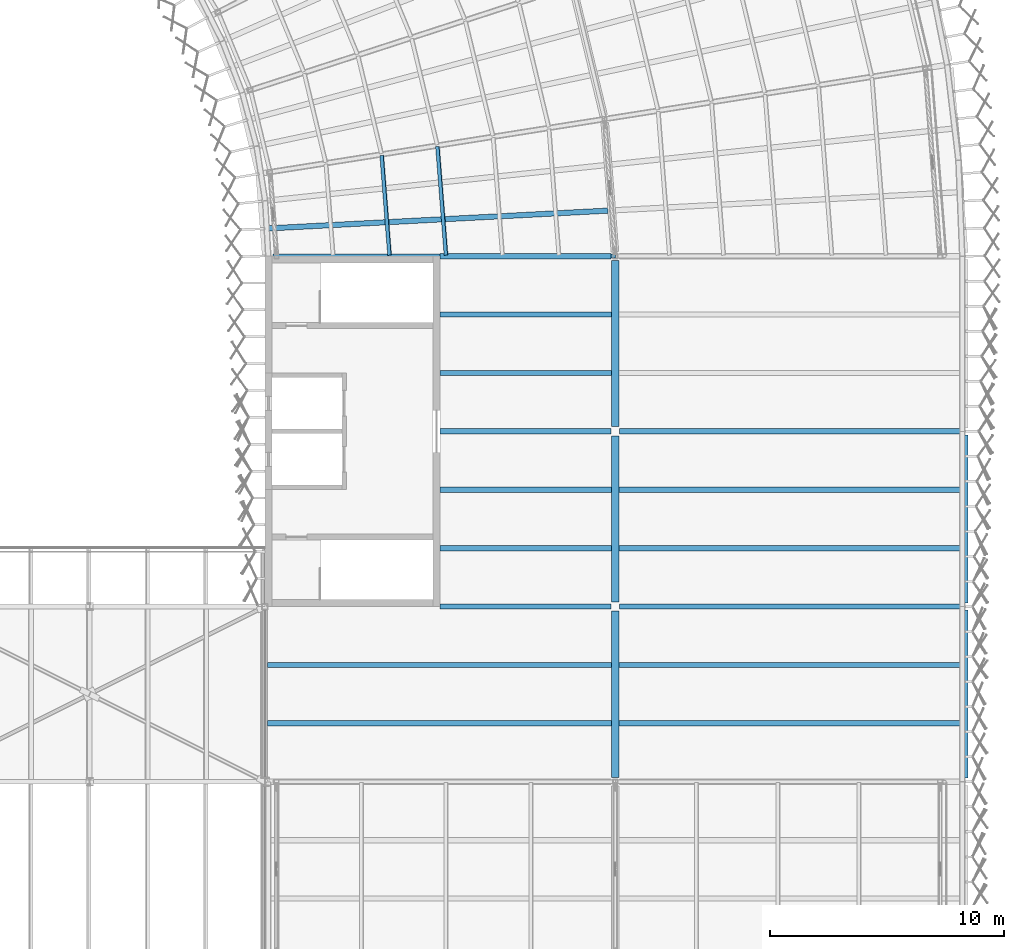
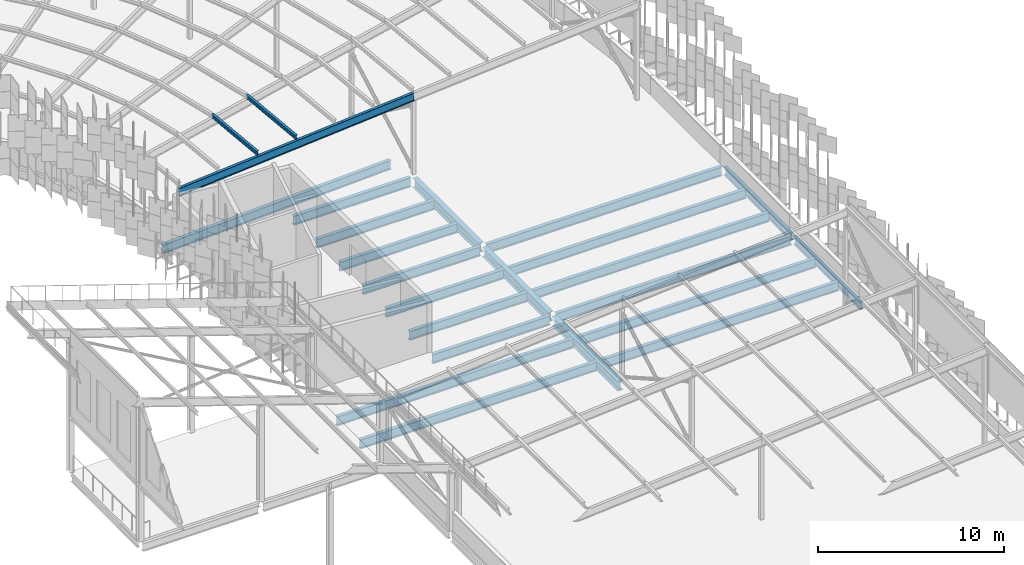
# One storey, part 87 of 483: 21 beams, 3 members.
"""IFC4 building model written with IfcOpenShell, lengths in metres."""

from ifc_helpers import new_model, si_unit, direction, frame, origin, origin_2d, place, context, subcontext, project, spatial, i_section, extrude, material, material_profile, profile_set, type_object, element, save


model = new_model("IFC4")

# Units and contexts
model_context = context("Model", 3, precision=1e-05, world=origin(), true_north=direction((0.0, 1.0)))
body_context = subcontext(model_context, "Body", "Model", "MODEL_VIEW")
ifc_project = project(units=[si_unit("LENGTHUNIT", "METRE"), si_unit("AREAUNIT", "SQUARE_METRE"), si_unit("VOLUMEUNIT", "CUBIC_METRE"), si_unit("PLANEANGLEUNIT", "RADIAN"), si_unit("MASSUNIT", "GRAM", prefix="KILO")], contexts=[model_context])

# Site, building, storey
site_placement = place(None, origin())
site = spatial("IfcSite", under=ifc_project, at=site_placement, CompositionType="ELEMENT")
building_placement = place(site_placement, origin())
building = spatial("IfcBuilding", under=site, at=building_placement, Name="Parallax Yard Mobility Hub", CompositionType="ELEMENT")
storey_placement = place(building_placement, frame((0.0, 0.0, 13.199951171875)))
storey = spatial("IfcBuildingStorey", under=building, at=storey_placement, Name="L04", CompositionType="ELEMENT", Elevation=13.199951171875)

# Members
ifc_material = material(Name="Steel ASTM A992", Category="steel")
ifc_material_profile_1 = material_profile(ifc_material, i_section(OverallWidth=0.14794921875, OverallDepth=0.26611328125, WebThickness=0.007568359375, FlangeThickness=0.012939453125, at=origin_2d()), Name="W250x45")
ifc_profile_set_1 = profile_set([ifc_material_profile_1], Name="Steel ASTM A992")
member_type_1 = type_object("IfcMemberType", Name="Canopy purlin W250x45", PredefinedType="PURLIN", material=ifc_profile_set_1)
member_1_placement = place(storey_placement, frame((200.00439453125, 94.315185546875, 4.688720703125), z_axis=(0.078464218091, -0.996916930581, 0.0), x_axis=(0.993722463222, 0.078212791542, 0.079990157691)))
element("IfcMember", 1, at=member_1_placement, inside=storey, type_object=member_type_1, Name="Canopy purlin sector R9-R10 line 3", PredefinedType="PURLIN", context=body_context, shape_type="SweptSolid", body=[
    extrude(i_section(OverallWidth=0.14794921875, OverallDepth=0.26611328125, WebThickness=0.007568359375, FlangeThickness=0.012939453125, at=origin_2d()), origin(), (0.0, 0.0, 1.0), 4.28759765625),
])
member_2_placement = place(storey_placement, frame((202.391357421875, 94.693115234375, 4.882080078125), z_axis=(0.078472628197, -0.996916268612, 0.0), x_axis=(0.993721803374, 0.078221174699, 0.079990157691)))
element("IfcMember", 2, at=member_2_placement, inside=storey, type_object=member_type_1, Name="Canopy purlin sector R9-R10 line 4", PredefinedType="PURLIN", context=body_context, shape_type="SweptSolid", body=[
    extrude(i_section(OverallWidth=0.14794921875, OverallDepth=0.26611328125, WebThickness=0.007568359375, FlangeThickness=0.012939453125, at=origin_2d()), origin(), (0.0, 0.0, 1.0), 4.666748046875),
])
ifc_material_profile_2 = material_profile(ifc_material, i_section(OverallWidth=0.166015625, OverallDepth=0.529052734375, WebThickness=0.009765625, FlangeThickness=0.013671875, at=origin_2d()), Name="W530x74")
ifc_profile_set_2 = profile_set([ifc_material_profile_2], Name="Steel ASTM A992")
member_type_2 = type_object("IfcMemberType", Name="Canopy rafter W530x74", PredefinedType="RAFTER", material=ifc_profile_set_2)
member_3_placement = place(storey_placement, frame((195.37109375, 90.0, 3.89501953125), z_axis=(0.996814591838, 0.0, 0.079753805543), x_axis=(0.0, 1.0, 0.0)))
element("IfcMember", 3, at=member_3_placement, inside=storey, type_object=member_type_2, Name="Canopy rafter R10 inner span", PredefinedType="RAFTER", context=body_context, shape_type="SweptSolid", body=[
    extrude(i_section(OverallWidth=0.166015625, OverallDepth=0.529052734375, WebThickness=0.009765625, FlangeThickness=0.013671875, at=origin_2d()), origin(), (0.0, 0.0, 1.0), 14.69677734375),
])

# Beams
ifc_material_profile_3 = material_profile(ifc_material, i_section(OverallWidth=0.208984375, OverallDepth=0.532958984375, WebThickness=0.01025390625, FlangeThickness=0.015625, FilletRadius=0.0126953125, at=origin_2d()), Name="W530x92")
ifc_profile_set_3 = profile_set([ifc_material_profile_3], Name="Steel ASTM A992")
beam_type_1 = type_object("IfcBeamType", Name="W530x92 edge beam", PredefinedType="SPANDREL", material=ifc_profile_set_3)
for number, where, z_axis, x_axis, name in (
    (4, (225.0, 67.652587890625, -0.406494140625), (0.0, 1.0, 0.0), (-1.0, 0.0, 0.0), "Edge beam SB5 level L04, line 31 of ramped parking decks, span 6"),
    (5, (225.0, 75.152587890625, -0.406494140625), (0.0, 1.0, 0.0), (-1.0, 0.0, 0.0), "Edge beam SB5 level L04, line 31 of ramped parking decks, span 7"),
):
    element("IfcBeam", number, at=place(storey_placement, frame(where, z_axis=z_axis, x_axis=x_axis)), inside=storey, type_object=beam_type_1, Name=name, PredefinedType="SPANDREL", context=body_context, shape_type="SweptSolid", body=[
        extrude(i_section(OverallWidth=0.208984375, OverallDepth=0.532958984375, WebThickness=0.01025390625, FlangeThickness=0.015625, FilletRadius=0.0126953125, at=origin_2d()), origin(), (0.0, 0.0, 1.0), 7.19482421875),
    ])
ifc_material_profile_4 = material_profile(ifc_material, i_section(OverallWidth=0.22802734375, OverallDepth=0.60205078125, WebThickness=0.010498046875, FlangeThickness=0.014892578125, FilletRadius=0.0126953125, at=origin_2d()), Name="W610x101")
ifc_profile_set_4 = profile_set([ifc_material_profile_4], Name="Steel ASTM A992")
beam_type_2 = type_object("IfcBeamType", Name="W610x101 secondary beam", PredefinedType="JOIST", material=ifc_profile_set_4)
for number, where, z_axis, x_axis, name in (
    (6, (195.1044921875, 70.0, -0.44091796875), (1.0, 0.0, 0.0), (0.0, 1.0, 0.0), "Secondary beam B3 level L04, 2.5 m north of line K of ramped parking decks, span 1"),
    (7, (210.16259765625, 70.0, -0.44091796875), (1.0, 0.0, 0.0), (0.0, 1.0, 0.0), "Secondary beam B3 level L04, 2.5 m north of line K of ramped parking decks, span 2"),
):
    element("IfcBeam", number, at=place(storey_placement, frame(where, z_axis=z_axis, x_axis=x_axis)), inside=storey, type_object=beam_type_2, Name=name, PredefinedType="JOIST", context=body_context, shape_type="SweptSolid", body=[
        extrude(i_section(OverallWidth=0.22802734375, OverallDepth=0.60205078125, WebThickness=0.010498046875, FlangeThickness=0.014892578125, FilletRadius=0.0126953125, at=origin_2d()), origin(), (0.0, 0.0, 1.0), 14.73291015625),
    ])
beam_1_placement = place(storey_placement, frame((202.5, 77.5, -0.44091796875), z_axis=(1.0, 0.0, 0.0), x_axis=(0.0, 1.0, 0.0)))
element("IfcBeam", 8, at=beam_1_placement, inside=storey, type_object=beam_type_2, Name="Secondary beam B3 level L04, 2.5 m north of line L of ramped parking decks, span 1", PredefinedType="JOIST", context=body_context, shape_type="SweptSolid", body=[
    extrude(i_section(OverallWidth=0.22802734375, OverallDepth=0.60205078125, WebThickness=0.010498046875, FlangeThickness=0.014892578125, FilletRadius=0.0126953125, at=origin_2d()), origin(), (0.0, 0.0, 1.0), 7.33740234375),
])
beam_2_placement = place(storey_placement, frame((210.16259765625, 77.5, -0.44091796875), z_axis=(1.0, 0.0, 0.0), x_axis=(0.0, 1.0, 0.0)))
element("IfcBeam", 9, at=beam_2_placement, inside=storey, type_object=beam_type_2, Name="Secondary beam B3 level L04, 2.5 m north of line L of ramped parking decks, span 2", PredefinedType="JOIST", context=body_context, shape_type="SweptSolid", body=[
    extrude(i_section(OverallWidth=0.22802734375, OverallDepth=0.60205078125, WebThickness=0.010498046875, FlangeThickness=0.014892578125, FilletRadius=0.0126953125, at=origin_2d()), origin(), (0.0, 0.0, 1.0), 14.73291015625),
])
beam_3_placement = place(storey_placement, frame((202.5, 85.0, -0.44091796875), z_axis=(1.0, 0.0, 0.0), x_axis=(0.0, 1.0, 0.0)))
element("IfcBeam", 10, at=beam_3_placement, inside=storey, type_object=beam_type_2, Name="Secondary beam B3 level L04, 2.5 m north of line M of ramped parking decks, span 1", PredefinedType="JOIST", context=body_context, shape_type="SweptSolid", body=[
    extrude(i_section(OverallWidth=0.22802734375, OverallDepth=0.60205078125, WebThickness=0.010498046875, FlangeThickness=0.014892578125, FilletRadius=0.0126953125, at=origin_2d()), origin(), (0.0, 0.0, 1.0), 7.33740234375),
])
for number, where, z_axis, x_axis, name in (
    (11, (195.1044921875, 72.5, -0.44091796875), (1.0, 0.0, 0.0), (0.0, 1.0, 0.0), "Secondary beam B3 level L04, 5 m north of line K of ramped parking decks, span 1"),
    (12, (210.16259765625, 72.5, -0.44091796875), (1.0, 0.0, 0.0), (0.0, 1.0, 0.0), "Secondary beam B3 level L04, 5 m north of line K of ramped parking decks, span 2"),
):
    element("IfcBeam", number, at=place(storey_placement, frame(where, z_axis=z_axis, x_axis=x_axis)), inside=storey, type_object=beam_type_2, Name=name, PredefinedType="JOIST", context=body_context, shape_type="SweptSolid", body=[
        extrude(i_section(OverallWidth=0.22802734375, OverallDepth=0.60205078125, WebThickness=0.010498046875, FlangeThickness=0.014892578125, FilletRadius=0.0126953125, at=origin_2d()), origin(), (0.0, 0.0, 1.0), 14.73291015625),
    ])
beam_4_placement = place(storey_placement, frame((202.5, 80.0, -0.44091796875), z_axis=(1.0, 0.0, 0.0), x_axis=(0.0, 1.0, 0.0)))
element("IfcBeam", 13, at=beam_4_placement, inside=storey, type_object=beam_type_2, Name="Secondary beam B3 level L04, 5 m north of line L of ramped parking decks, span 1", PredefinedType="JOIST", context=body_context, shape_type="SweptSolid", body=[
    extrude(i_section(OverallWidth=0.22802734375, OverallDepth=0.60205078125, WebThickness=0.010498046875, FlangeThickness=0.014892578125, FilletRadius=0.0126953125, at=origin_2d()), origin(), (0.0, 0.0, 1.0), 7.33740234375),
])
beam_5_placement = place(storey_placement, frame((210.16259765625, 80.0, -0.44091796875), z_axis=(1.0, 0.0, 0.0), x_axis=(0.0, 1.0, 0.0)))
element("IfcBeam", 14, at=beam_5_placement, inside=storey, type_object=beam_type_2, Name="Secondary beam B3 level L04, 5 m north of line L of ramped parking decks, span 2", PredefinedType="JOIST", context=body_context, shape_type="SweptSolid", body=[
    extrude(i_section(OverallWidth=0.22802734375, OverallDepth=0.60205078125, WebThickness=0.010498046875, FlangeThickness=0.014892578125, FilletRadius=0.0126953125, at=origin_2d()), origin(), (0.0, 0.0, 1.0), 14.73291015625),
])
beam_6_placement = place(storey_placement, frame((202.5, 87.5, -0.44091796875), z_axis=(1.0, 0.0, 0.0), x_axis=(0.0, 1.0, 0.0)))
element("IfcBeam", 15, at=beam_6_placement, inside=storey, type_object=beam_type_2, Name="Secondary beam B3 level L04, 5 m north of line M of ramped parking decks, span 1", PredefinedType="JOIST", context=body_context, shape_type="SweptSolid", body=[
    extrude(i_section(OverallWidth=0.22802734375, OverallDepth=0.60205078125, WebThickness=0.010498046875, FlangeThickness=0.014892578125, FilletRadius=0.0126953125, at=origin_2d()), origin(), (0.0, 0.0, 1.0), 7.33740234375),
])
beam_7_placement = place(storey_placement, frame((195.02197265625, 91.180419921875, -0.44091796875), z_axis=(0.99862979267, 0.052331034694, 0.0), x_axis=(-0.052331034694, 0.99862979267, 0.0)))
element("IfcBeam", 16, at=beam_7_placement, inside=storey, type_object=beam_type_2, Name="Secondary beam B3 level L04, radial at 87 degrees of ramped parking decks, span 1", PredefinedType="JOIST", context=body_context, shape_type="SweptSolid", body=[
    extrude(i_section(OverallWidth=0.22802734375, OverallDepth=0.60205078125, WebThickness=0.010498046875, FlangeThickness=0.014892578125, FilletRadius=0.0126953125, at=origin_2d()), origin(), (0.0, 0.0, 1.0), 14.681640625),
])
ifc_material_profile_5 = material_profile(ifc_material, i_section(OverallWidth=0.22900390625, OverallDepth=0.612060546875, WebThickness=0.011962890625, FlangeThickness=0.01953125, FilletRadius=0.0126953125, at=origin_2d()), Name="W610x125")
ifc_profile_set_5 = profile_set([ifc_material_profile_5], Name="Steel ASTM A992")
beam_type_3 = type_object("IfcBeamType", Name="W610x125 girder", PredefinedType="BEAM", material=ifc_profile_set_5)
beam_8_placement = place(storey_placement, frame((202.5, 75.0, -0.446044921875), z_axis=(1.0, 0.0, 0.0), x_axis=(0.0, 1.0, 0.0)))
element("IfcBeam", 17, at=beam_8_placement, inside=storey, type_object=beam_type_3, Name="Girder G3 level L04, line L of ramped parking decks, span 1", PredefinedType="BEAM", context=body_context, shape_type="SweptSolid", body=[
    extrude(i_section(OverallWidth=0.22900390625, OverallDepth=0.612060546875, WebThickness=0.011962890625, FlangeThickness=0.01953125, FilletRadius=0.0126953125, at=origin_2d()), origin(), (0.0, 0.0, 1.0), 7.31201171875),
])
beam_9_placement = place(storey_placement, frame((210.18798828125, 75.0, -0.446044921875), z_axis=(1.0, 0.0, 0.0), x_axis=(0.0, 1.0, 0.0)))
element("IfcBeam", 18, at=beam_9_placement, inside=storey, type_object=beam_type_3, Name="Girder G3 level L04, line L of ramped parking decks, span 2", PredefinedType="BEAM", context=body_context, shape_type="SweptSolid", body=[
    extrude(i_section(OverallWidth=0.22900390625, OverallDepth=0.612060546875, WebThickness=0.011962890625, FlangeThickness=0.01953125, FilletRadius=0.0126953125, at=origin_2d()), origin(), (0.0, 0.0, 1.0), 14.658447265625),
])
beam_10_placement = place(storey_placement, frame((202.5, 82.5, -0.446044921875), z_axis=(1.0, 0.0, 0.0), x_axis=(0.0, 1.0, 0.0)))
element("IfcBeam", 19, at=beam_10_placement, inside=storey, type_object=beam_type_3, Name="Girder G3 level L04, line M of ramped parking decks, span 1", PredefinedType="BEAM", context=body_context, shape_type="SweptSolid", body=[
    extrude(i_section(OverallWidth=0.22900390625, OverallDepth=0.612060546875, WebThickness=0.011962890625, FlangeThickness=0.01953125, FilletRadius=0.0126953125, at=origin_2d()), origin(), (0.0, 0.0, 1.0), 7.3095703125),
])
beam_11_placement = place(storey_placement, frame((210.1904296875, 82.5, -0.446044921875), z_axis=(1.0, 0.0, 0.0), x_axis=(0.0, 1.0, 0.0)))
element("IfcBeam", 20, at=beam_11_placement, inside=storey, type_object=beam_type_3, Name="Girder G3 level L04, line M of ramped parking decks, span 2", PredefinedType="BEAM", context=body_context, shape_type="SweptSolid", body=[
    extrude(i_section(OverallWidth=0.22900390625, OverallDepth=0.612060546875, WebThickness=0.011962890625, FlangeThickness=0.01953125, FilletRadius=0.0126953125, at=origin_2d()), origin(), (0.0, 0.0, 1.0), 14.656005859375),
])
beam_12_placement = place(storey_placement, frame((202.5, 90.0, -0.446044921875), z_axis=(1.0, 0.0, 0.0), x_axis=(0.0, 1.0, 0.0)))
element("IfcBeam", 21, at=beam_12_placement, inside=storey, type_object=beam_type_3, Name="Girder G3 level L04, line N of ramped parking decks, span 1", PredefinedType="BEAM", context=body_context, shape_type="SweptSolid", body=[
    extrude(i_section(OverallWidth=0.22900390625, OverallDepth=0.612060546875, WebThickness=0.011962890625, FlangeThickness=0.01953125, FilletRadius=0.0126953125, at=origin_2d()), origin(), (0.0, 0.0, 1.0), 7.31591796875),
])
ifc_material_profile_6 = material_profile(ifc_material, i_section(OverallWidth=0.324951171875, OverallDepth=0.612060546875, WebThickness=0.0126953125, FlangeThickness=0.01904296875, FilletRadius=0.0126953125, at=origin_2d()), Name="W610x155")
ifc_profile_set_6 = profile_set([ifc_material_profile_6], Name="Steel ASTM A992")
beam_type_4 = type_object("IfcBeamType", Name="W610x155 longitudinal beam", PredefinedType="BEAM", material=ifc_profile_set_6)
beam_13_placement = place(storey_placement, frame((210.0, 67.6865234375, -0.446044921875), z_axis=(0.0, 1.0, 0.0), x_axis=(-1.0, 0.0, 0.0)))
element("IfcBeam", 22, at=beam_13_placement, inside=storey, type_object=beam_type_4, Name="Longitudinal beam SB8 level L04, line 29 of ramped parking decks, span 7", PredefinedType="BEAM", context=body_context, shape_type="SweptSolid", body=[
    extrude(i_section(OverallWidth=0.324951171875, OverallDepth=0.612060546875, WebThickness=0.0126953125, FlangeThickness=0.01904296875, FilletRadius=0.0126953125, at=origin_2d()), origin(), (0.0, 0.0, 1.0), 7.116455078125),
])
beam_14_placement = place(storey_placement, frame((210.0, 75.197021484375, -0.446044921875), z_axis=(0.0, 1.0, 0.0), x_axis=(-1.0, 0.0, 0.0)))
element("IfcBeam", 23, at=beam_14_placement, inside=storey, type_object=beam_type_4, Name="Longitudinal beam SB8 level L04, line 29 of ramped parking decks, span 8", PredefinedType="BEAM", context=body_context, shape_type="SweptSolid", body=[
    extrude(i_section(OverallWidth=0.324951171875, OverallDepth=0.612060546875, WebThickness=0.0126953125, FlangeThickness=0.01904296875, FilletRadius=0.0126953125, at=origin_2d()), origin(), (0.0, 0.0, 1.0), 7.10498046875),
])
beam_15_placement = place(storey_placement, frame((210.0, 82.697998046875, -0.446044921875), z_axis=(0.0, 1.0, 0.0), x_axis=(-1.0, 0.0, 0.0)))
element("IfcBeam", 24, at=beam_15_placement, inside=storey, type_object=beam_type_4, Name="Longitudinal beam SB8 level L04, line 29 of ramped parking decks, span 9", PredefinedType="BEAM", context=body_context, shape_type="SweptSolid", body=[
    extrude(i_section(OverallWidth=0.324951171875, OverallDepth=0.612060546875, WebThickness=0.0126953125, FlangeThickness=0.01904296875, FilletRadius=0.0126953125, at=origin_2d()), origin(), (0.0, 0.0, 1.0), 7.115478515625),
])

save(model, "model.ifc")
